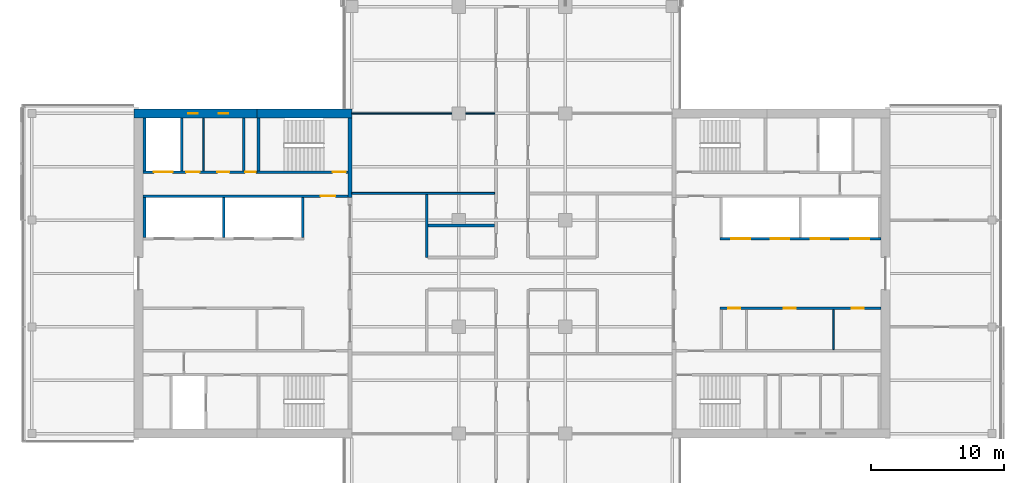
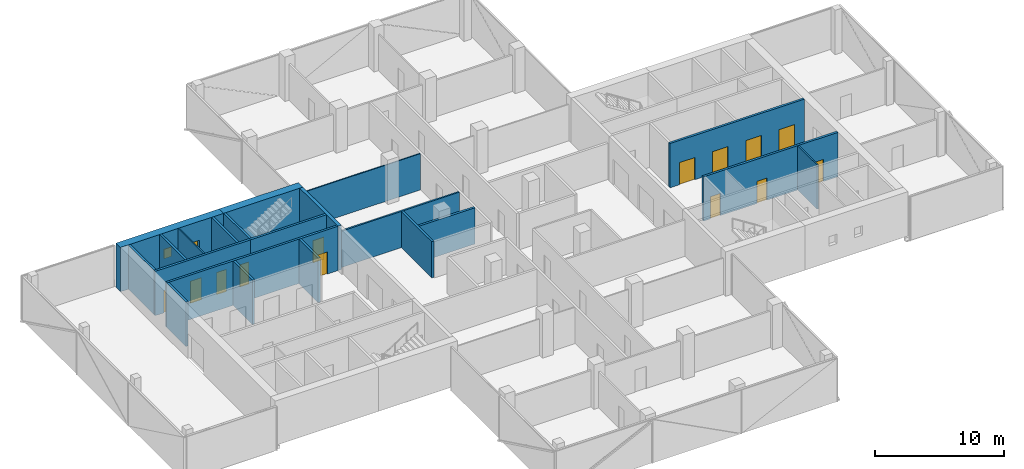
# One storey, part 15 of 22: 21 walls, 13 doors, 2 windows, 15 openings.
"""IFC4 building model written with IfcOpenShell, lengths in metres."""

from ifc_helpers import new_model, si_unit, direction, frame, frame_2d, origin, place, context, subcontext, project, spatial, rectangle, extrude, material, layer, layer_set, constituent, constituent_set, type_object, element, fill, save


model = new_model("IFC4")

# Units and contexts
model_context = context("Model", 3, precision=1e-05, world=origin(), true_north=direction((0.0, 1.0)))
body_context = subcontext(model_context, "Body", "Model", "MODEL_VIEW")
ifc_project = project(units=[si_unit("LENGTHUNIT", "METRE"), si_unit("AREAUNIT", "SQUARE_METRE"), si_unit("VOLUMEUNIT", "CUBIC_METRE"), si_unit("PLANEANGLEUNIT", "RADIAN"), si_unit("MASSUNIT", "GRAM", prefix="KILO")], contexts=[model_context])

# Site, building, storey
site_placement = place(None, origin())
site = spatial("IfcSite", under=ifc_project, at=site_placement, CompositionType="ELEMENT")
building_placement = place(site_placement, origin())
building = spatial("IfcBuilding", under=site, at=building_placement, Name="Crosswind Convention Tower", CompositionType="ELEMENT")
storey_placement = place(building_placement, frame((0.0, 0.0, 129.5)))
storey = spatial("IfcBuildingStorey", under=building, at=storey_placement, Name="L26", CompositionType="ELEMENT", Elevation=129.5)

# Walls
ifc_material_1 = material(Name="Concrete blockwork", Category="masonry")
ifc_layer_1 = layer(ifc_material_1, 0.199951171875)
ifc_layer_set_1 = layer_set([ifc_layer_1], Name="Blockwork partition wall 200")
wall_type_1 = type_object("IfcWallType", Name="Blockwork partition wall 200", PredefinedType="PARTITIONING", material=ifc_layer_set_1)
wall_1_placement = place(storey_placement, frame((104.89990234375, 111.64990234375, 0.0), z_axis=(0.0, 0.0, 1.0), x_axis=(0.0, -1.0, 0.0)))
element("IfcWall", 1, at=wall_1_placement, inside=storey, type_object=wall_type_1, Name="Wall MRSE W L26", PredefinedType="PARTITIONING", context=body_context, shape_type="SweptSolid", body=[
    extrude(rectangle(XDim=3.949951171875, YDim=0.199951171875, at=frame_2d((1.97509765625, 0.0))), origin(), (0.0, 0.0, 1.0), 4.199951171875),
])
ifc_layer_2 = layer(ifc_material_1, 0.199951171875)
ifc_layer_set_2 = layer_set([ifc_layer_2], Name="COMPARTMENT WALL 200 BLOCKWORK")
wall_type_2 = type_object("IfcWallType", Name="COMPARTMENT WALL 200 BLOCKWORK", PredefinedType="SOLIDWALL", material=ifc_layer_set_2)
wall_2_placement = place(storey_placement, frame((118.60009765625, 101.199951171875, 0.0), z_axis=(0.0, 0.0, 1.0), x_axis=(0.0, 1.0, 0.0)))
element("IfcWall", 2, at=wall_2_placement, inside=storey, type_object=wall_type_2, Name="Compartment wall WT42", PredefinedType="SOLIDWALL", context=body_context, shape_type="SweptSolid", body=[
    extrude(rectangle(XDim=4.72509765625, YDim=0.199951171875, at=frame_2d((2.362548828125, 0.0))), origin(), (0.0, 0.0, 1.0), 3.436279296875),
])
wall_3_placement = place(storey_placement, frame((118.699951171875, 103.60009765625, 0.0), z_axis=(0.0, 0.0, 1.0), x_axis=(1.0, 0.0, 0.0)))
element("IfcWall", 3, at=wall_3_placement, inside=storey, type_object=wall_type_2, Name="Compartment wall WT42", PredefinedType="SOLIDWALL", context=body_context, shape_type="SweptSolid", body=[
    extrude(rectangle(XDim=5.0, YDim=0.199951171875, at=frame_2d((2.5, 0.0))), origin(), (0.0, 0.0, 1.0), 3.436279296875),
])
ifc_material_2 = material(Name="Concrete C50/60", Category="concrete")
ifc_layer_3 = layer(ifc_material_2, 0.300048828125)
ifc_layer_set_3 = layer_set([ifc_layer_3], Name="Concrete C50/60")
wall_type_3 = type_object("IfcWallType", Name="Concrete inner core wall 300", PredefinedType="SHEAR", material=ifc_layer_set_3)
wall_4_placement = place(storey_placement, frame((112.85009765625, 111.64990234375, 0.0), z_axis=(0.0, 0.0, 1.0), x_axis=(0.0, -1.0, 0.0)))
element("IfcWall", 4, at=wall_4_placement, inside=storey, type_object=wall_type_3, Name="Wall EM W L26", PredefinedType="SHEAR", context=body_context, shape_type="SweptSolid", body=[
    extrude(rectangle(XDim=5.949951171875, YDim=0.300048828125, at=frame_2d((2.97509765625, 0.0))), origin(), (0.0, 0.0, 1.0), 4.199951171875),
])

# Wall, openings, doors
ifc_layer_4 = layer(ifc_material_2, 0.199951171875)
ifc_layer_set_4 = layer_set([ifc_layer_4], Name="Concrete C50/60")
wall_type_4 = type_object("IfcWallType", Name="Concrete shaft and stair wall 200", PredefinedType="SHEAR", material=ifc_layer_set_4)
wall_5_placement = place(storey_placement, frame((140.60009765625, 102.60009765625, 0.0), z_axis=(0.0, 0.0, 1.0), x_axis=(1.0, 0.0, 0.0)))
wall_5 = element("IfcWall", 5, at=wall_5_placement, inside=storey, type_object=wall_type_4, Name="Wall RPFRONT E L26", PredefinedType="SHEAR", context=body_context, shape_type="SweptSolid", body=[
    extrude(rectangle(XDim=12.0498046875, YDim=0.199951171875, at=frame_2d((6.02490234375, 0.0))), origin(), (0.0, 0.0, 1.0), 4.199951171875),
])
opening_1_placement = place(wall_5_placement, frame((0.85009765625, 0.0, 0.0)))
opening_1 = element("IfcOpeningElement", 6, at=opening_1_placement, cuts=wall_5, Name="Opening LD2", PredefinedType="OPENING", context=body_context, shape_type="SweptSolid", body=[
    extrude(rectangle(XDim=1.39990234375, YDim=2.10009765625, at=frame_2d((0.699951171875, 1.050048828125))), frame((0.0, 0.10986328125, 0.0), z_axis=(0.0, -1.0, 0.0), x_axis=(1.0, 0.0, 0.0)), (0.0, 0.0, 1.0), 0.219970703125),
])
opening_2_placement = place(wall_5_placement, frame((3.800048828125, 0.0, 0.0)))
opening_2 = element("IfcOpeningElement", 7, at=opening_2_placement, cuts=wall_5, Name="Opening LD2", PredefinedType="OPENING", context=body_context, shape_type="SweptSolid", body=[
    extrude(rectangle(XDim=1.39990234375, YDim=2.10009765625, at=frame_2d((0.699951171875, 1.050048828125))), frame((0.0, 0.10986328125, 0.0), z_axis=(0.0, -1.0, 0.0), x_axis=(1.0, 0.0, 0.0)), (0.0, 0.0, 1.0), 0.219970703125),
])
opening_3_placement = place(wall_5_placement, frame((6.800048828125, 0.0, 0.0)))
opening_3 = element("IfcOpeningElement", 8, at=opening_3_placement, cuts=wall_5, Name="Opening LD2", PredefinedType="OPENING", context=body_context, shape_type="SweptSolid", body=[
    extrude(rectangle(XDim=1.39990234375, YDim=2.10009765625, at=frame_2d((0.699951171875, 1.050048828125))), frame((0.0, 0.10986328125, 0.0), z_axis=(0.0, -1.0, 0.0), x_axis=(1.0, 0.0, 0.0)), (0.0, 0.0, 1.0), 0.219970703125),
])
opening_4_placement = place(wall_5_placement, frame((9.77490234375, 0.0, 0.0)))
opening_4 = element("IfcOpeningElement", 9, at=opening_4_placement, cuts=wall_5, Name="Opening LD2", PredefinedType="OPENING", context=body_context, shape_type="SweptSolid", body=[
    extrude(rectangle(XDim=1.39990234375, YDim=2.10009765625, at=frame_2d((0.699951171875, 1.050048828125))), frame((0.0, 0.10986328125, 0.0), z_axis=(0.0, -1.0, 0.0), x_axis=(1.0, 0.0, 0.0)), (0.0, 0.0, 1.0), 0.219970703125),
])
ifc_material_3 = material(Name="Stainless steel", Category="steel")
door_type_1 = type_object("IfcDoorType", Name="Lift landing door 1400x2100", OperationType="DOUBLE_DOOR_SLIDING", PredefinedType="DOOR", material=ifc_material_3)
door_1_placement = place(opening_1_placement, origin())
door_1 = element("IfcDoor", 10, at=door_1_placement, inside=storey, type_object=door_type_1, Name="Landing door A1 L26", ObjectType="LD2", OperationType="DOUBLE_DOOR_SLIDING", OverallHeight=2.10009765625, OverallWidth=1.39990234375, PredefinedType="DOOR", context=body_context, shape_type="SweptSolid", body=[
    extrude(rectangle(XDim=1.39990234375, YDim=2.10009765625, at=frame_2d((0.699951171875, 1.050048828125))), frame((0.0, 0.02490234375, 0.0), z_axis=(0.0, -1.0, 0.0), x_axis=(1.0, 0.0, 0.0)), (0.0, 0.0, 1.0), 0.050048828125),
])
fill(opening_1, door_1)
door_2_placement = place(opening_2_placement, origin())
door_2 = element("IfcDoor", 11, at=door_2_placement, inside=storey, type_object=door_type_1, Name="Landing door A2 L26", ObjectType="LD2", OperationType="DOUBLE_DOOR_SLIDING", OverallHeight=2.10009765625, OverallWidth=1.39990234375, PredefinedType="DOOR", context=body_context, shape_type="SweptSolid", body=[
    extrude(rectangle(XDim=1.39990234375, YDim=2.10009765625, at=frame_2d((0.699951171875, 1.050048828125))), frame((0.0, 0.02490234375, 0.0), z_axis=(0.0, -1.0, 0.0), x_axis=(1.0, 0.0, 0.0)), (0.0, 0.0, 1.0), 0.050048828125),
])
fill(opening_2, door_2)
door_3_placement = place(opening_3_placement, origin())
door_3 = element("IfcDoor", 12, at=door_3_placement, inside=storey, type_object=door_type_1, Name="Landing door A3 L26", ObjectType="LD2", OperationType="DOUBLE_DOOR_SLIDING", OverallHeight=2.10009765625, OverallWidth=1.39990234375, PredefinedType="DOOR", context=body_context, shape_type="SweptSolid", body=[
    extrude(rectangle(XDim=1.39990234375, YDim=2.10009765625, at=frame_2d((0.699951171875, 1.050048828125))), frame((0.0, 0.02490234375, 0.0), z_axis=(0.0, -1.0, 0.0), x_axis=(1.0, 0.0, 0.0)), (0.0, 0.0, 1.0), 0.050048828125),
])
fill(opening_3, door_3)
door_4_placement = place(opening_4_placement, origin())
door_4 = element("IfcDoor", 13, at=door_4_placement, inside=storey, type_object=door_type_1, Name="Landing door A4 L26", ObjectType="LD2", OperationType="DOUBLE_DOOR_SLIDING", OverallHeight=2.10009765625, OverallWidth=1.39990234375, PredefinedType="DOOR", context=body_context, shape_type="SweptSolid", body=[
    extrude(rectangle(XDim=1.39990234375, YDim=2.10009765625, at=frame_2d((0.699951171875, 1.050048828125))), frame((0.0, 0.02490234375, 0.0), z_axis=(0.0, -1.0, 0.0), x_axis=(1.0, 0.0, 0.0)), (0.0, 0.0, 1.0), 0.050048828125),
])
fill(opening_4, door_4)

wall_6_placement = place(storey_placement, frame((140.60009765625, 97.39990234375, 0.0), z_axis=(0.0, 0.0, 1.0), x_axis=(1.0, 0.0, 0.0)))
wall_6 = element("IfcWall", 14, at=wall_6_placement, inside=storey, type_object=wall_type_4, Name="Wall RMFRONT E L26", PredefinedType="SHEAR", context=body_context, shape_type="SweptSolid", body=[
    extrude(rectangle(XDim=12.0498046875, YDim=0.199951171875, at=frame_2d((6.02490234375, 0.0))), origin(), (0.0, 0.0, 1.0), 4.199951171875),
])
opening_5_placement = place(wall_6_placement, frame((0.607421875, 0.0, 0.0)))
opening_5 = element("IfcOpeningElement", 15, at=opening_5_placement, cuts=wall_6, Name="Opening D106", PredefinedType="OPENING", context=body_context, shape_type="SweptSolid", body=[
    extrude(rectangle(XDim=0.89990234375, YDim=2.10009765625, at=frame_2d((0.449951171875, 1.050048828125))), frame((0.0, 0.10986328125, 0.0), z_axis=(0.0, -1.0, 0.0), x_axis=(1.0, 0.0, 0.0)), (0.0, 0.0, 1.0), 0.219970703125),
])
opening_6_placement = place(wall_6_placement, frame((4.7861328125, 0.0, 0.0)))
opening_6 = element("IfcOpeningElement", 16, at=opening_6_placement, cuts=wall_6, Name="Opening D106", PredefinedType="OPENING", context=body_context, shape_type="SweptSolid", body=[
    extrude(rectangle(XDim=0.89990234375, YDim=2.10009765625, at=frame_2d((0.449951171875, 1.050048828125))), frame((0.0, 0.10986328125, 0.0), z_axis=(0.0, -1.0, 0.0), x_axis=(1.0, 0.0, 0.0)), (0.0, 0.0, 1.0), 0.219970703125),
])
opening_7_placement = place(wall_6_placement, frame((9.853759765625, 0.0, 0.0)))
opening_7 = element("IfcOpeningElement", 17, at=opening_7_placement, cuts=wall_6, Name="Opening D106", PredefinedType="OPENING", context=body_context, shape_type="SweptSolid", body=[
    extrude(rectangle(XDim=0.89990234375, YDim=2.10009765625, at=frame_2d((0.449951171875, 1.050048828125))), frame((0.0, 0.10986328125, 0.0), z_axis=(0.0, -1.0, 0.0), x_axis=(1.0, 0.0, 0.0)), (0.0, 0.0, 1.0), 0.219970703125),
])
ifc_material_4 = material(Name="Timber door", Category="wood")
door_type_2 = type_object("IfcDoorType", Name="Single leaf door 900x2100", OperationType="NOTDEFINED", PredefinedType="DOOR", material=ifc_material_4)
door_5_placement = place(opening_5_placement, frame((0.89990234375, 0.0, 0.0), z_axis=(0.0, 0.0, 1.0), x_axis=(-1.0, 0.0, 0.0)))
door_5 = element("IfcDoor", 18, at=door_5_placement, inside=storey, type_object=door_type_2, Name="Door to storeroom L26", ObjectType="D106", OperationType="SINGLE_SWING_LEFT", OverallHeight=2.10009765625, OverallWidth=0.89990234375, PredefinedType="DOOR", context=body_context, shape_type="SweptSolid", body=[
    extrude(rectangle(XDim=0.89990234375, YDim=2.10009765625, at=frame_2d((0.449951171875, 1.050048828125))), frame((0.0, 0.02490234375, 0.0), z_axis=(0.0, -1.0, 0.0), x_axis=(1.0, 0.0, 0.0)), (0.0, 0.0, 1.0), 0.050048828125),
])
fill(opening_5, door_5)
door_6_placement = place(opening_6_placement, frame((0.89990234375, 0.0, 0.0), z_axis=(0.0, 0.0, 1.0), x_axis=(-1.0, 0.0, 0.0)))
door_6 = element("IfcDoor", 19, at=door_6_placement, inside=storey, type_object=door_type_2, Name="Door to tenant services room L26", ObjectType="D106", OperationType="SINGLE_SWING_LEFT", OverallHeight=2.10009765625, OverallWidth=0.89990234375, PredefinedType="DOOR", context=body_context, shape_type="SweptSolid", body=[
    extrude(rectangle(XDim=0.89990234375, YDim=2.10009765625, at=frame_2d((0.449951171875, 1.050048828125))), frame((0.0, 0.02490234375, 0.0), z_axis=(0.0, -1.0, 0.0), x_axis=(1.0, 0.0, 0.0)), (0.0, 0.0, 1.0), 0.050048828125),
])
fill(opening_6, door_6)
door_7_placement = place(opening_7_placement, frame((0.89990234375, 0.0, 0.0), z_axis=(0.0, 0.0, 1.0), x_axis=(-1.0, 0.0, 0.0)))
door_7 = element("IfcDoor", 20, at=door_7_placement, inside=storey, type_object=door_type_2, Name="Door to copy and print room L26", ObjectType="D106", OperationType="SINGLE_SWING_LEFT", OverallHeight=2.10009765625, OverallWidth=0.89990234375, PredefinedType="DOOR", context=body_context, shape_type="SweptSolid", body=[
    extrude(rectangle(XDim=0.89990234375, YDim=2.10009765625, at=frame_2d((0.449951171875, 1.050048828125))), frame((0.0, 0.02490234375, 0.0), z_axis=(0.0, -1.0, 0.0), x_axis=(1.0, 0.0, 0.0)), (0.0, 0.0, 1.0), 0.050048828125),
])
fill(opening_7, door_7)

# Walls
for number, where, z_axis, x_axis, name in (
    (21, (109.300048828125, 105.699951171875, 0.0), (0.0, 0.0, 1.0), (0.0, -1.0, 0.0), "Wall RMEND W L26"),
    (22, (103.39990234375, 105.699951171875, 0.0), (0.0, 0.0, 1.0), (0.0, -1.0, 0.0), "Wall RMSEP W L26"),
    (23, (97.449951171875, 105.699951171875, 0.0), (0.0, 0.0, 1.0), (0.0, -1.0, 0.0), "Wall RMEAST W L26"),
):
    element("IfcWall", number, at=place(storey_placement, frame(where, z_axis=z_axis, x_axis=x_axis)), inside=storey, type_object=wall_type_4, Name=name, PredefinedType="SHEAR", context=body_context, shape_type="SweptSolid", body=[
        extrude(rectangle(XDim=3.0, YDim=0.199951171875, at=frame_2d((1.5, 0.0))), origin(), (0.0, 0.0, 1.0), 4.199951171875),
    ])

# Wall, opening, door
wall_7_placement = place(storey_placement, frame((112.699951171875, 105.800048828125, 0.0), z_axis=(0.0, 0.0, 1.0), x_axis=(-1.0, 0.0, 0.0)))
wall_7 = element("IfcWall", 24, at=wall_7_placement, inside=storey, type_object=wall_type_4, Name="Wall HM W L26", PredefinedType="SHEAR", context=body_context, shape_type="SweptSolid", body=[
    extrude(rectangle(XDim=15.349853515625, YDim=0.199951171875, at=frame_2d((7.6748046875, 0.0))), origin(), (0.0, 0.0, 1.0), 4.199951171875),
])
opening_8_placement = place(wall_7_placement, frame((0.949951171875, 0.0, 0.0)))
opening_8 = element("IfcOpeningElement", 25, at=opening_8_placement, cuts=wall_7, Name="Opening D104", PredefinedType="OPENING", context=body_context, shape_type="SweptSolid", body=[
    extrude(rectangle(XDim=1.10009765625, YDim=2.10009765625, at=frame_2d((0.550048828125, 1.050048828125))), frame((0.0, 0.10986328125, 0.0), z_axis=(0.0, -1.0, 0.0), x_axis=(1.0, 0.0, 0.0)), (0.0, 0.0, 1.0), 0.219970703125),
])
ifc_material_5 = material(Name="Steel fire door", Category="steel")
door_type_3 = type_object("IfcDoorType", Name="Fire-rated single door 1100x2100", OperationType="NOTDEFINED", PredefinedType="DOOR", material=ifc_material_5)
door_8_placement = place(opening_8_placement, origin())
door_8 = element("IfcDoor", 26, at=door_8_placement, inside=storey, type_object=door_type_3, Name="Corridor door L26", ObjectType="D104", OperationType="SINGLE_SWING_LEFT", OverallHeight=2.10009765625, OverallWidth=1.10009765625, PredefinedType="DOOR", context=body_context, shape_type="SweptSolid", body=[
    extrude(rectangle(XDim=1.10009765625, YDim=2.10009765625, at=frame_2d((0.550048828125, 1.050048828125))), frame((0.0, 0.02490234375, 0.0), z_axis=(0.0, -1.0, 0.0), x_axis=(1.0, 0.0, 0.0)), (0.0, 0.0, 1.0), 0.050048828125),
])
fill(opening_8, door_8)

# Walls
for number, where, z_axis, x_axis, name in (
    (27, (106.0, 111.64990234375, 0.0), (0.0, 0.0, 1.0), (0.0, -1.0, 0.0), "Wall MSE W L26"),
    (28, (100.25, 111.64990234375, 0.0), (0.0, 0.0, 1.0), (0.0, -1.0, 0.0), "Wall MFSW W L26"),
    (29, (97.449951171875, 111.64990234375, 0.0), (0.0, 0.0, 1.0), (0.0, -1.0, 0.0), "Wall MFSE W L26"),
):
    element("IfcWall", number, at=place(storey_placement, frame(where, z_axis=z_axis, x_axis=x_axis)), inside=storey, type_object=wall_type_4, Name=name, PredefinedType="SHEAR", context=body_context, shape_type="SweptSolid", body=[
        extrude(rectangle(XDim=3.949951171875, YDim=0.199951171875, at=frame_2d((1.97509765625, 0.0))), origin(), (0.0, 0.0, 1.0), 4.199951171875),
    ])

# Wall, opening, door
wall_8_placement = place(storey_placement, frame((112.699951171875, 107.60009765625, 0.0), z_axis=(0.0, 0.0, 1.0), x_axis=(-1.0, 0.0, 0.0)))
wall_8 = element("IfcWall", 30, at=wall_8_placement, inside=storey, type_object=wall_type_4, Name="Wall MCW W L26", PredefinedType="SHEAR", context=body_context, shape_type="SweptSolid", body=[
    extrude(rectangle(XDim=6.800048828125, YDim=0.199951171875, at=frame_2d((3.39990234375, 0.0))), origin(), (0.0, 0.0, 1.0), 4.199951171875),
])
opening_9_placement = place(wall_8_placement, frame((0.14990234375, 0.0, 0.0)))
opening_9 = element("IfcOpeningElement", 31, at=opening_9_placement, cuts=wall_8, Name="Opening D103", PredefinedType="OPENING", context=body_context, shape_type="SweptSolid", body=[
    extrude(rectangle(XDim=1.0, YDim=2.10009765625, at=frame_2d((0.5, 1.050048828125))), frame((0.0, 0.10986328125, 0.0), z_axis=(0.0, -1.0, 0.0), x_axis=(1.0, 0.0, 0.0)), (0.0, 0.0, 1.0), 0.219970703125),
])
door_type_4 = type_object("IfcDoorType", Name="Fire-rated single door 1000x2100", OperationType="NOTDEFINED", PredefinedType="DOOR", material=ifc_material_5)
door_9_placement = place(opening_9_placement, frame((1.0, 0.0, 0.0), z_axis=(0.0, 0.0, 1.0), x_axis=(-1.0, 0.0, 0.0)))
door_9 = element("IfcDoor", 32, at=door_9_placement, inside=storey, type_object=door_type_4, Name="Stair ST4 door L26", ObjectType="D103", OperationType="SINGLE_SWING_RIGHT", OverallHeight=2.10009765625, OverallWidth=1.0, PredefinedType="DOOR", context=body_context, shape_type="SweptSolid", body=[
    extrude(rectangle(XDim=1.0, YDim=2.10009765625, at=frame_2d((0.5, 1.050048828125))), frame((0.0, 0.02490234375, 0.0), z_axis=(0.0, -1.0, 0.0), x_axis=(1.0, 0.0, 0.0)), (0.0, 0.0, 1.0), 0.050048828125),
])
fill(opening_9, door_9)

# Wall, openings, doors
wall_9_placement = place(storey_placement, frame((105.89990234375, 107.60009765625, 0.0), z_axis=(0.0, 0.0, 1.0), x_axis=(-1.0, 0.0, 0.0)))
wall_9 = element("IfcWall", 33, at=wall_9_placement, inside=storey, type_object=wall_type_4, Name="Wall MCX W L26", PredefinedType="SHEAR", context=body_context, shape_type="SweptSolid", body=[
    extrude(rectangle(XDim=8.5498046875, YDim=0.199951171875, at=frame_2d((4.27490234375, 0.0))), origin(), (0.0, 0.0, 1.0), 4.199951171875),
])
opening_10_placement = place(wall_9_placement, frame((0.10009765625, 0.0, 0.0)))
opening_10 = element("IfcOpeningElement", 34, at=opening_10_placement, cuts=wall_9, Name="Opening D105", PredefinedType="OPENING", context=body_context, shape_type="SweptSolid", body=[
    extrude(rectangle(XDim=0.800048828125, YDim=2.10009765625, at=frame_2d((0.39990234375, 1.050048828125))), frame((0.0, 0.10986328125, 0.0), z_axis=(0.0, -1.0, 0.0), x_axis=(1.0, 0.0, 0.0)), (0.0, 0.0, 1.0), 0.219970703125),
])
opening_11_placement = place(wall_9_placement, frame((2.087158203125, 0.0, 0.0)))
opening_11 = element("IfcOpeningElement", 35, at=opening_11_placement, cuts=wall_9, Name="Opening D106", PredefinedType="OPENING", context=body_context, shape_type="SweptSolid", body=[
    extrude(rectangle(XDim=0.89990234375, YDim=2.10009765625, at=frame_2d((0.449951171875, 1.050048828125))), frame((0.0, 0.10986328125, 0.0), z_axis=(0.0, -1.0, 0.0), x_axis=(1.0, 0.0, 0.0)), (0.0, 0.0, 1.0), 0.219970703125),
])
opening_12_placement = place(wall_9_placement, frame((4.32470703125, 0.0, 0.0)))
opening_12 = element("IfcOpeningElement", 36, at=opening_12_placement, cuts=wall_9, Name="Opening D103", PredefinedType="OPENING", context=body_context, shape_type="SweptSolid", body=[
    extrude(rectangle(XDim=1.0, YDim=2.10009765625, at=frame_2d((0.5, 1.050048828125))), frame((0.0, 0.10986328125, 0.0), z_axis=(0.0, -1.0, 0.0), x_axis=(1.0, 0.0, 0.0)), (0.0, 0.0, 1.0), 0.219970703125),
])
opening_13_placement = place(wall_9_placement, frame((6.35009765625, 0.0, 0.0)))
opening_13 = element("IfcOpeningElement", 37, at=opening_13_placement, cuts=wall_9, Name="Opening LD2", PredefinedType="OPENING", context=body_context, shape_type="SweptSolid", body=[
    extrude(rectangle(XDim=1.39990234375, YDim=2.10009765625, at=frame_2d((0.699951171875, 1.050048828125))), frame((0.0, 0.10986328125, 0.0), z_axis=(0.0, -1.0, 0.0), x_axis=(1.0, 0.0, 0.0)), (0.0, 0.0, 1.0), 0.219970703125),
])
door_10_placement = place(opening_12_placement, frame((1.0, 0.0, 0.0), z_axis=(0.0, 0.0, 1.0), x_axis=(-1.0, 0.0, 0.0)))
door_10 = element("IfcDoor", 38, at=door_10_placement, inside=storey, type_object=door_type_4, Name="Door to accessible wc L26", ObjectType="D103", OperationType="SINGLE_SWING_LEFT", OverallHeight=2.10009765625, OverallWidth=1.0, PredefinedType="DOOR", context=body_context, shape_type="SweptSolid", body=[
    extrude(rectangle(XDim=1.0, YDim=2.10009765625, at=frame_2d((0.5, 1.050048828125))), frame((0.0, 0.02490234375, 0.0), z_axis=(0.0, -1.0, 0.0), x_axis=(1.0, 0.0, 0.0)), (0.0, 0.0, 1.0), 0.050048828125),
])
fill(opening_12, door_10)
door_11_placement = place(opening_13_placement, origin())
door_11 = element("IfcDoor", 39, at=door_11_placement, inside=storey, type_object=door_type_1, Name="Landing door SV2 L26", ObjectType="LD2", OperationType="DOUBLE_DOOR_SLIDING", OverallHeight=2.10009765625, OverallWidth=1.39990234375, PredefinedType="DOOR", context=body_context, shape_type="SweptSolid", body=[
    extrude(rectangle(XDim=1.39990234375, YDim=2.10009765625, at=frame_2d((0.699951171875, 1.050048828125))), frame((0.0, 0.02490234375, 0.0), z_axis=(0.0, -1.0, 0.0), x_axis=(1.0, 0.0, 0.0)), (0.0, 0.0, 1.0), 0.050048828125),
])
fill(opening_13, door_11)
door_type_5 = type_object("IfcDoorType", Name="Riser access door 800x2100", OperationType="NOTDEFINED", PredefinedType="DOOR", material=ifc_material_5)
door_12_placement = place(opening_10_placement, frame((0.800048828125, 0.0, 0.0), z_axis=(0.0, 0.0, 1.0), x_axis=(-1.0, 0.0, 0.0)))
door_12 = element("IfcDoor", 40, at=door_12_placement, inside=storey, type_object=door_type_5, Name="Riser door L26", ObjectType="D105", OperationType="SINGLE_SWING_LEFT", OverallHeight=2.10009765625, OverallWidth=0.800048828125, PredefinedType="DOOR", context=body_context, shape_type="SweptSolid", body=[
    extrude(rectangle(XDim=0.800048828125, YDim=2.10009765625, at=frame_2d((0.39990234375, 1.050048828125))), frame((0.0, 0.02490234375, 0.0), z_axis=(0.0, -1.0, 0.0), x_axis=(1.0, 0.0, 0.0)), (0.0, 0.0, 1.0), 0.050048828125),
])
fill(opening_10, door_12)
door_13_placement = place(opening_11_placement, frame((0.89990234375, 0.0, 0.0), z_axis=(0.0, 0.0, 1.0), x_axis=(-1.0, 0.0, 0.0)))
door_13 = element("IfcDoor", 41, at=door_13_placement, inside=storey, type_object=door_type_2, Name="Door to wc L26", ObjectType="D106", OperationType="SINGLE_SWING_LEFT", OverallHeight=2.10009765625, OverallWidth=0.89990234375, PredefinedType="DOOR", context=body_context, shape_type="SweptSolid", body=[
    extrude(rectangle(XDim=0.89990234375, YDim=2.10009765625, at=frame_2d((0.449951171875, 1.050048828125))), frame((0.0, 0.02490234375, 0.0), z_axis=(0.0, -1.0, 0.0), x_axis=(1.0, 0.0, 0.0)), (0.0, 0.0, 1.0), 0.050048828125),
])
fill(opening_11, door_13)

# Walls
ifc_material_6 = material(Name="Gypsum plasterboard partition", Category="gypsum")
ifc_layer_5 = layer(ifc_material_6, 0.125)
ifc_layer_set_5 = layer_set([ifc_layer_5], Name="Drywall partition wall 125")
wall_type_5 = type_object("IfcWallType", Name="Drywall partition wall 125", PredefinedType="PARTITIONING", material=ifc_layer_set_5)
wall_10_placement = place(storey_placement, frame((149.094970703125, 94.300048828125, 0.0), z_axis=(0.0, 0.0, 1.0), x_axis=(0.0, 1.0, 0.0)))
element("IfcWall", 42, at=wall_10_placement, inside=storey, type_object=wall_type_5, Name="Wall RMP2 E L26", PredefinedType="PARTITIONING", context=body_context, shape_type="SweptSolid", body=[
    extrude(rectangle(XDim=3.0, YDim=0.125, at=frame_2d((1.5, 0.0))), origin(), (0.0, 0.0, 1.0), 4.199951171875),
])
wall_11_placement = place(storey_placement, frame((101.863037109375, 111.64990234375, 0.0), z_axis=(0.0, 0.0, 1.0), x_axis=(0.0, -1.0, 0.0)))
element("IfcWall", 43, at=wall_11_placement, inside=storey, type_object=wall_type_5, Name="Wall MWP1 W L26", PredefinedType="PARTITIONING", context=body_context, shape_type="SweptSolid", body=[
    extrude(rectangle(XDim=3.949951171875, YDim=0.125, at=frame_2d((1.97509765625, 0.0))), origin(), (0.0, 0.0, 1.0), 4.199951171875),
])
ifc_material_7 = material(Name="Plasterboard partition", Category="gypsum")
ifc_layer_6 = layer(ifc_material_7, 0.10009765625)
ifc_layer_set_6 = layer_set([ifc_layer_6], Name="PARTITION 100 METAL STUD")
wall_type_6 = type_object("IfcWallType", Name="PARTITION 100 METAL STUD", PredefinedType="PARTITIONING", material=ifc_layer_set_6)
wall_12_placement = place(storey_placement, frame((113.0, 112.0, 0.0), z_axis=(0.0, 0.0, 1.0), x_axis=(1.0, 0.0, 0.0)))
element("IfcWall", 44, at=wall_12_placement, inside=storey, type_object=wall_type_6, Name="Partition wall WT40", PredefinedType="PARTITIONING", context=body_context, shape_type="SweptSolid", body=[
    extrude(rectangle(XDim=10.699951171875, YDim=0.10009765625, at=frame_2d((5.35009765625, 0.0))), origin(), (0.0, 0.0, 1.0), 3.436279296875),
])
ifc_material_8 = material(Name="Fire-board partition with mineral wool", Category="gypsum")
ifc_layer_7 = layer(ifc_material_8, 0.14990234375)
ifc_layer_set_7 = layer_set([ifc_layer_7], Name="TENANCY WALL 150 TWO-HOUR BOARD")
wall_type_7 = type_object("IfcWallType", Name="TENANCY WALL 150 TWO-HOUR BOARD", PredefinedType="PARTITIONING", material=ifc_layer_set_7)
wall_13_placement = place(storey_placement, frame((113.0, 106.0, 0.0), z_axis=(0.0, 0.0, 1.0), x_axis=(1.0, 0.0, 0.0)))
element("IfcWall", 45, at=wall_13_placement, inside=storey, type_object=wall_type_7, Name="Tenancy wall WT41", PredefinedType="PARTITIONING", context=body_context, shape_type="SweptSolid", body=[
    extrude(rectangle(XDim=10.699951171875, YDim=0.14990234375, at=frame_2d((5.35009765625, 0.0))), origin(), (0.0, 0.0, 1.0), 3.436279296875),
])
ifc_material_9 = material(Name="Concrete C60/75", Category="concrete")
ifc_constituent_1 = constituent(ifc_material_9, Name="Structure")
ifc_material_10 = material(Name="Terracotta rainscreen", Category="ceramic")
ifc_constituent_2 = constituent(ifc_material_10, Name="Facing")
ifc_constituent_set = constituent_set(constituents=[ifc_constituent_1, ifc_constituent_2], Name="Concrete C60/75, Terracotta rainscreen")
wall_type_8 = type_object("IfcWallType", Name="Terracotta rainscreen on concrete core wall 700", PredefinedType="SHEAR", material=ifc_constituent_set)
wall_14_placement = place(storey_placement, frame((113.0, 112.0, 0.0), z_axis=(0.0, 0.0, 1.0), x_axis=(-1.0, 0.0, 0.0)))
element("IfcWall", 46, at=wall_14_placement, inside=storey, type_object=wall_type_8, Name="Wall S1 W L26", PredefinedType="SHEAR", context=body_context, shape_type="SweptSolid", body=[
    extrude(rectangle(XDim=7.10009765625, YDim=0.699951171875, at=frame_2d((3.550048828125, 0.0))), origin(), (0.0, 0.0, 1.0), 4.199951171875),
])

# Wall, openings, windows
wall_15_placement = place(storey_placement, frame((105.89990234375, 112.0, 0.0), z_axis=(0.0, 0.0, 1.0), x_axis=(-1.0, 0.0, 0.0)))
wall_15 = element("IfcWall", 47, at=wall_15_placement, inside=storey, type_object=wall_type_8, Name="Wall S2 W L26", PredefinedType="SHEAR", context=body_context, shape_type="SweptSolid", body=[
    extrude(rectangle(XDim=9.25, YDim=0.699951171875, at=frame_2d((4.625, 0.0))), origin(), (0.0, 0.0, 1.0), 4.199951171875),
])
opening_14_placement = place(wall_15_placement, frame((2.187255859375, 0.0, 1.5)))
opening_14 = element("IfcOpeningElement", 48, at=opening_14_placement, cuts=wall_15, Name="Opening W2", PredefinedType="OPENING", context=body_context, shape_type="SweptSolid", body=[
    extrude(rectangle(XDim=0.699951171875, YDim=0.89990234375, at=frame_2d((0.35009765625, 0.449951171875))), frame((0.0, 0.35986328125, 0.0), z_axis=(0.0, -1.0, 0.0), x_axis=(1.0, 0.0, 0.0)), (0.0, 0.0, 1.0), 0.719970703125),
])
opening_15_placement = place(wall_15_placement, frame((4.474853515625, 0.0, 1.5)))
opening_15 = element("IfcOpeningElement", 49, at=opening_15_placement, cuts=wall_15, Name="Opening W2", PredefinedType="OPENING", context=body_context, shape_type="SweptSolid", body=[
    extrude(rectangle(XDim=0.699951171875, YDim=0.89990234375, at=frame_2d((0.35009765625, 0.449951171875))), frame((0.0, 0.35986328125, 0.0), z_axis=(0.0, -1.0, 0.0), x_axis=(1.0, 0.0, 0.0)), (0.0, 0.0, 1.0), 0.719970703125),
])
ifc_material_11 = material(Name="Obscure glass in aluminium frame", Category="aluminium")
window_type = type_object("IfcWindowType", Name="WC window 700x900", PartitioningType="SINGLE_PANEL", PredefinedType="WINDOW", material=ifc_material_11)
window_1_placement = place(opening_14_placement, origin())
window_1 = element("IfcWindow", 50, at=window_1_placement, inside=storey, type_object=window_type, Name="WC window L26", ObjectType="W2", OverallHeight=0.89990234375, OverallWidth=0.699951171875, PartitioningType="SINGLE_PANEL", PredefinedType="WINDOW", context=body_context, shape_type="SweptSolid", body=[
    extrude(rectangle(XDim=0.699951171875, YDim=0.89990234375, at=frame_2d((0.35009765625, 0.449951171875))), frame((0.0, 0.030029296875, 0.0), z_axis=(0.0, -1.0, 0.0), x_axis=(1.0, 0.0, 0.0)), (0.0, 0.0, 1.0), 0.06005859375),
])
fill(opening_14, window_1)
window_2_placement = place(opening_15_placement, origin())
window_2 = element("IfcWindow", 51, at=window_2_placement, inside=storey, type_object=window_type, Name="WC window L26", ObjectType="W2", OverallHeight=0.89990234375, OverallWidth=0.699951171875, PartitioningType="SINGLE_PANEL", PredefinedType="WINDOW", context=body_context, shape_type="SweptSolid", body=[
    extrude(rectangle(XDim=0.699951171875, YDim=0.89990234375, at=frame_2d((0.35009765625, 0.449951171875))), frame((0.0, 0.030029296875, 0.0), z_axis=(0.0, -1.0, 0.0), x_axis=(1.0, 0.0, 0.0)), (0.0, 0.0, 1.0), 0.06005859375),
])
fill(opening_15, window_2)

save(model, "model.ifc")
